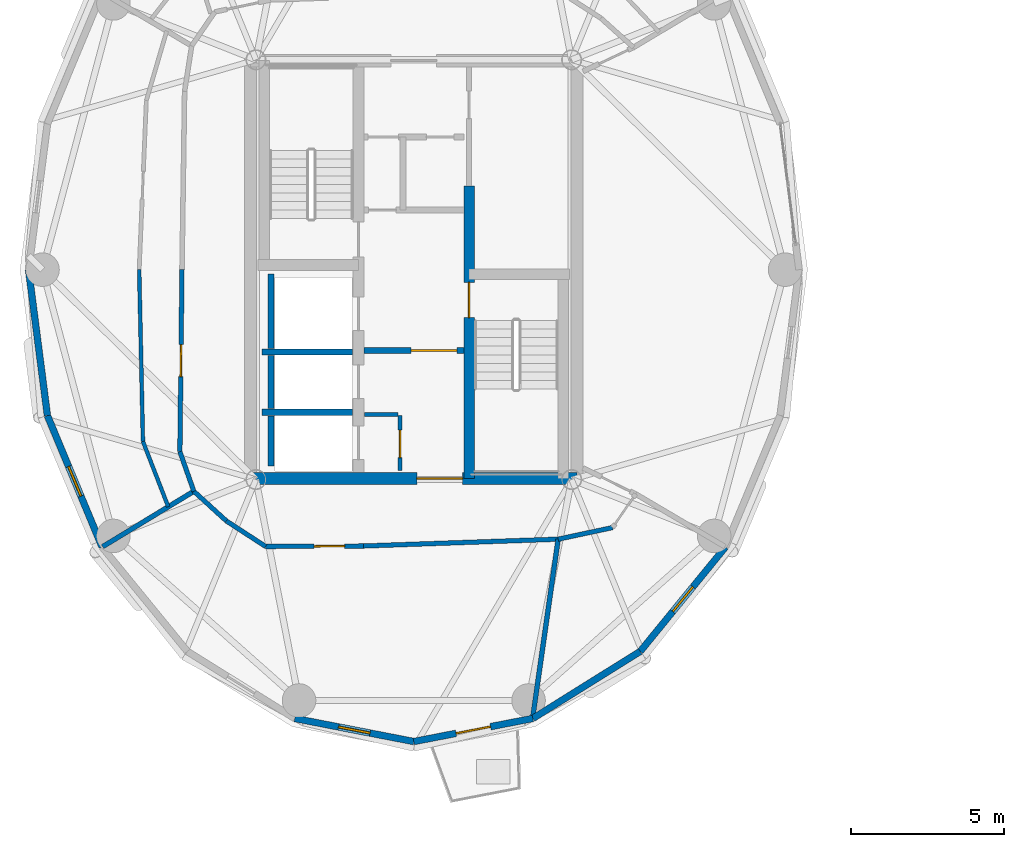
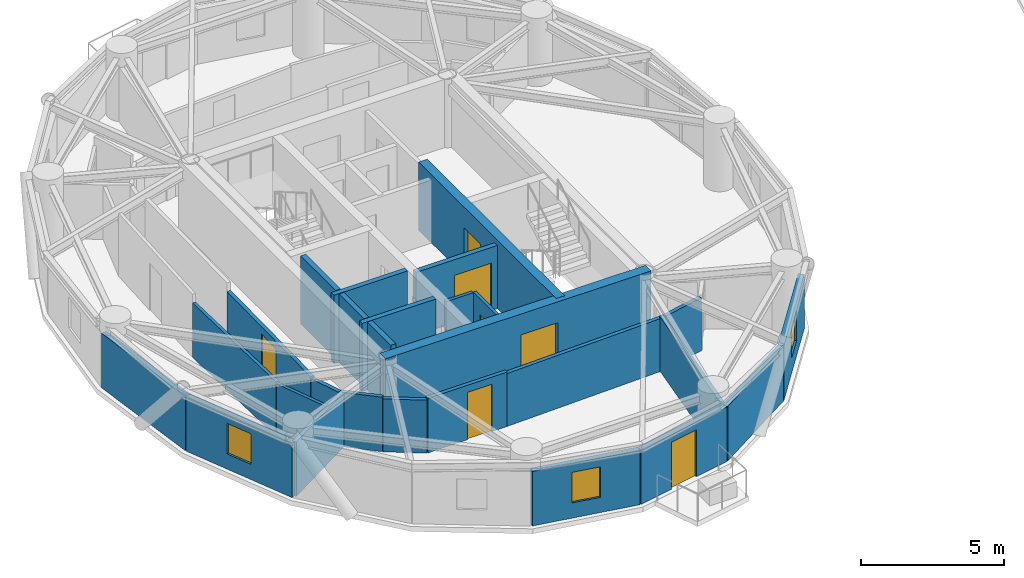
# One storey, part 7 of 16: 27 walls, 7 doors, 3 windows, 10 openings.
"""IFC4 building model written with IfcOpenShell, lengths in metres."""

from ifc_helpers import new_model, si_unit, direction, frame, frame_2d, origin, place, context, subcontext, project, spatial, rectangle, extrude, source, transform, mapped, material, layer, layer_set, type_object, element, fill, save


model = new_model("IFC4")

# Units and contexts
model_context = context("Model", 3, precision=1e-05, world=origin(), true_north=direction((0.0, 1.0)))
body_context = subcontext(model_context, "Body", "Model", "MODEL_VIEW")
ifc_project = project(units=[si_unit("LENGTHUNIT", "METRE"), si_unit("AREAUNIT", "SQUARE_METRE"), si_unit("VOLUMEUNIT", "CUBIC_METRE"), si_unit("PLANEANGLEUNIT", "RADIAN"), si_unit("MASSUNIT", "GRAM", prefix="KILO")], contexts=[model_context])

# Site, building, storey
site_placement = place(None, origin())
site = spatial("IfcSite", under=ifc_project, at=site_placement, CompositionType="ELEMENT")
building_placement = place(site_placement, origin())
building = spatial("IfcBuilding", under=site, at=building_placement, Name="Cununo Teusaquillo Station Towers", CompositionType="ELEMENT")
storey_placement = place(building_placement, frame((0.0, 0.0, 217.030029296875)))
storey = spatial("IfcBuildingStorey", under=building, at=storey_placement, Name="L69", CompositionType="ELEMENT", Elevation=217.030029296875)

# Walls
ifc_material_1 = material(Name="Concrete C50/60", Category="concrete")
ifc_layer_1 = layer(ifc_material_1, 0.199951171875)
ifc_layer_set_1 = layer_set([ifc_layer_1], Name="Concrete C50/60")
wall_type_1 = type_object("IfcWallType", Name="WL-CORE-200", PredefinedType="SHEAR", material=ifc_layer_set_1)
wall_1_placement = place(storey_placement, frame((11.52001953125, 21.800048828125, 0.0), z_axis=(0.0, 0.0, 1.0), x_axis=(1.0, 0.0, 0.0)))
element("IfcWall", 1, at=wall_1_placement, inside=storey, type_object=wall_type_1, Name="L69 Tower A Firefighting Lift Shaft South Shear Wall", PredefinedType="SHEAR", context=body_context, shape_type="SweptSolid", body=[
    extrude(rectangle(XDim=2.969970703125, YDim=0.199951171875, at=frame_2d((1.48486328125, 0.0))), origin(), (0.0, 0.0, 1.0), 2.909912109375),
])
wall_2_placement = place(storey_placement, frame((11.820068359375, 21.919921875, 0.0), z_axis=(0.0, 0.0, 1.0), x_axis=(0.0, 1.0, 0.0)))
element("IfcWall", 2, at=wall_2_placement, inside=storey, type_object=wall_type_1, Name="L69 Tower A Firefighting Lift Shaft Rear Shear Wall", PredefinedType="SHEAR", context=body_context, shape_type="SweptSolid", body=[
    extrude(rectangle(XDim=2.440185546875, YDim=0.199951171875, at=frame_2d((1.22021484375, 0.0))), origin(), (0.0, 0.0, 1.0), 2.909912109375),
])
wall_3_placement = place(storey_placement, frame((11.52001953125, 19.824951171875, 0.0), z_axis=(0.0, 0.0, 1.0), x_axis=(1.0, 0.0, 0.0)))
element("IfcWall", 3, at=wall_3_placement, inside=storey, type_object=wall_type_1, Name="L69 Tower A High-Rise Lift Hoistway Divider Shear Wall", PredefinedType="SHEAR", context=body_context, shape_type="SweptSolid", body=[
    extrude(rectangle(XDim=2.969970703125, YDim=0.199951171875, at=frame_2d((1.48486328125, 0.0))), origin(), (0.0, 0.0, 1.0), 2.909912109375),
])
wall_4_placement = place(storey_placement, frame((11.820068359375, 19.945068359375, 0.0), z_axis=(0.0, 0.0, 1.0), x_axis=(0.0, 1.0, 0.0)))
element("IfcWall", 4, at=wall_4_placement, inside=storey, type_object=wall_type_1, Name="L69 Tower A High-Rise Lift 2 Shaft Rear Shear Wall", PredefinedType="SHEAR", context=body_context, shape_type="SweptSolid", body=[
    extrude(rectangle(XDim=1.73486328125, YDim=0.199951171875, at=frame_2d((0.867431640625, 0.0))), origin(), (0.0, 0.0, 1.0), 2.909912109375),
])
wall_5_placement = place(storey_placement, frame((11.820068359375, 18.070068359375, 0.0), z_axis=(0.0, 0.0, 1.0), x_axis=(0.0, 1.0, 0.0)))
element("IfcWall", 5, at=wall_5_placement, inside=storey, type_object=wall_type_1, Name="L69 Tower A High-Rise Lift 1 Shaft Rear Shear Wall", PredefinedType="SHEAR", context=body_context, shape_type="SweptSolid", body=[
    extrude(rectangle(XDim=1.635009765625, YDim=0.199951171875, at=frame_2d((0.8173828125, 0.0))), origin(), (0.0, 0.0, 1.0), 2.909912109375),
])

# Wall, opening, door
ifc_material_2 = material(Name="Concrete C50/60", Category="concrete")
ifc_layer_2 = layer(ifc_material_2, 0.35009765625)
ifc_layer_set_2 = layer_set([ifc_layer_2], Name="Concrete C50/60")
wall_type_2 = type_object("IfcWallType", Name="WL-CORE-350", PredefinedType="SHEAR", material=ifc_layer_set_2)
wall_6_placement = place(storey_placement, frame((18.31494140625, 17.64990234375, 0.0), z_axis=(0.0, 0.0, 1.0), x_axis=(0.0, 1.0, 0.0)))
wall_6 = element("IfcWall", 6, at=wall_6_placement, inside=storey, type_object=wall_type_2, Name="L69 Tower A Core Shear Wall IE", PredefinedType="SHEAR", context=body_context, shape_type="SweptSolid", body=[
    extrude(rectangle(XDim=9.60009765625, YDim=0.35009765625, at=frame_2d((4.800048828125, 0.0))), origin(), (0.0, 0.0, 1.0), 2.909912109375),
])
shared_shape_1 = source(origin(), body_context, "Body", "SweptSolid", [
    extrude(rectangle(XDim=1.14990234375, YDim=2.02001953125, at=frame_2d((0.574951171875, 1.010009765625))), frame((0.0, 0.18505859375, 0.0), z_axis=(0.0, -1.0, 0.0), x_axis=(1.0, 0.0, 0.0)), (0.0, 0.0, 1.0), 0.3701171875),
])
opening_1_placement = place(wall_6_placement, frame((5.280029296875, 0.0, 0.0)))
opening_1 = element("IfcOpeningElement", 7, at=opening_1_placement, cuts=wall_6, Name="Opening D-ST1", PredefinedType="OPENING", context=body_context, shape_type="MappedRepresentation", body=[
    mapped(shared_shape_1, transform((0.0, 0.0, 0.0), x_axis=(1.0, 0.0, 0.0), y_axis=(0.0, 1.0, 0.0), z_axis=(0.0, 0.0, 1.0), scale=1.0)),
])
ifc_material_3 = material(Name="Galvanised fire-rated hollow steel door assembly", Category="steel")
door_type_1 = type_object("IfcDoorType", Name="DR-STAIR-1150", OperationType="NOTDEFINED", PredefinedType="DOOR", material=ifc_material_3)
shared_shape_2 = source(origin(), body_context, "Body", "SweptSolid", [
    extrude(rectangle(XDim=1.14990234375, YDim=2.02001953125, at=frame_2d((0.574951171875, 1.010009765625))), frame((0.0, 0.02490234375, 0.0), z_axis=(0.0, -1.0, 0.0), x_axis=(1.0, 0.0, 0.0)), (0.0, 0.0, 1.0), 0.050048828125),
])
door_1_placement = place(opening_1_placement, origin())
door_1 = element("IfcDoor", 8, at=door_1_placement, inside=storey, type_object=door_type_1, Name="L69 Tower A Exit Stair 2 Fire Door", OperationType="SINGLE_SWING_LEFT", OverallHeight=2.02001953125, OverallWidth=1.14990234375, PredefinedType="DOOR", context=body_context, shape_type="MappedRepresentation", body=[
    mapped(shared_shape_2, transform((0.0, 0.0, 0.0), x_axis=(1.0, 0.0, 0.0), y_axis=(0.0, 1.0, 0.0), z_axis=(0.0, 0.0, 1.0), scale=1.0)),
])
fill(opening_1, door_1)

ifc_material_4 = material(Name="Concrete C50/60", Category="concrete")
ifc_layer_3 = layer(ifc_material_4, 0.39990234375)
ifc_layer_set_3 = layer_set([ifc_layer_3], Name="Concrete C50/60")
wall_type_3 = type_object("IfcWallType", Name="WL-CORE-400", PredefinedType="SHEAR", material=ifc_layer_set_3)
wall_7_placement = place(storey_placement, frame((11.14990234375, 17.64990234375, 0.0), z_axis=(0.0, 0.0, 1.0), x_axis=(1.0, 0.0, 0.0)))
wall_7 = element("IfcWall", 9, at=wall_7_placement, inside=storey, type_object=wall_type_3, Name="L69 Tower A Core Shear Wall S", PredefinedType="SHEAR", context=body_context, shape_type="SweptSolid", body=[
    extrude(rectangle(XDim=10.7001953125, YDim=0.39990234375, at=frame_2d((5.35009765625, 0.0))), origin(), (0.0, 0.0, 1.0), 2.909912109375),
])
shared_shape_3 = source(origin(), body_context, "Body", "SweptSolid", [
    extrude(rectangle(XDim=1.5, YDim=2.02001953125, at=frame_2d((0.75, 1.010009765625))), frame((0.0, 0.2099609375, 0.0), z_axis=(0.0, -1.0, 0.0), x_axis=(1.0, 0.0, 0.0)), (0.0, 0.0, 1.0), 0.419921875),
])
opening_2_placement = place(wall_7_placement, frame((5.449951171875, 0.0, 0.0)))
opening_2 = element("IfcOpeningElement", 10, at=opening_2_placement, cuts=wall_7, Name="Opening D-LB1", PredefinedType="OPENING", context=body_context, shape_type="MappedRepresentation", body=[
    mapped(shared_shape_3, transform((0.0, 0.0, 0.0), x_axis=(1.0, 0.0, 0.0), y_axis=(0.0, 1.0, 0.0), z_axis=(0.0, 0.0, 1.0), scale=1.0)),
])
ifc_material_5 = material(Name="Galvanised fire-rated hollow steel door assembly", Category="steel")
door_type_2 = type_object("IfcDoorType", Name="DR-LOBBY-1500", OperationType="DOUBLE_DOOR_SINGLE_SWING", PredefinedType="DOOR", material=ifc_material_5)
shared_shape_4 = source(origin(), body_context, "Body", "SweptSolid", [
    extrude(rectangle(XDim=1.5, YDim=2.02001953125, at=frame_2d((0.75, 1.010009765625))), frame((0.0, 0.02490234375, 0.0), z_axis=(0.0, -1.0, 0.0), x_axis=(1.0, 0.0, 0.0)), (0.0, 0.0, 1.0), 0.050048828125),
])
door_2_placement = place(opening_2_placement, origin())
door_2 = element("IfcDoor", 11, at=door_2_placement, inside=storey, type_object=door_type_2, Name="L69 Tower A South Core Lift Lobby Door", OperationType="DOUBLE_DOOR_SINGLE_SWING", OverallHeight=2.02001953125, OverallWidth=1.5, PredefinedType="DOOR", context=body_context, shape_type="MappedRepresentation", body=[
    mapped(shared_shape_4, transform((0.0, 0.0, 0.0), x_axis=(1.0, 0.0, 0.0), y_axis=(0.0, 1.0, 0.0), z_axis=(0.0, 0.0, 1.0), scale=1.0)),
])
fill(opening_2, door_2)

# Wall
ifc_material_6 = material(Name="Precast concrete C40/50", Category="concrete")
ifc_layer_4 = layer(ifc_material_6, 0.219970703125)
ifc_layer_set_4 = layer_set([ifc_layer_4], Name="Precast concrete C40/50")
wall_type_4 = type_object("IfcWallType", Name="WL-EXT-220", PredefinedType="SOLIDWALL", material=ifc_layer_set_4)
wall_8_placement = place(storey_placement, frame((4.48828125, 19.719482421875, 0.0), z_axis=(0.0, 0.0, 1.0), x_axis=(-0.128241318541, 0.991742993027, 0.0)))
element("IfcWall", 12, at=wall_8_placement, inside=storey, type_object=wall_type_4, Name="L69 Tower A Exterior Facade Wall C10", PredefinedType="SOLIDWALL", context=body_context, shape_type="SweptSolid", body=[
    extrude(rectangle(XDim=4.8203125, YDim=0.219970703125, at=frame_2d((2.41015625, 0.0))), origin(), (0.0, 0.0, 1.0), 2.322021484375),
])

# Wall, opening, window
wall_9_placement = place(storey_placement, frame((6.281982421875, 15.406982421875, 0.0), z_axis=(0.0, 0.0, 1.0), x_axis=(-0.384036305194, 0.923317993052, 0.0)))
wall_9 = element("IfcWall", 13, at=wall_9_placement, inside=storey, type_object=wall_type_4, Name="L69 Tower A Exterior Facade Wall C11", PredefinedType="SOLIDWALL", context=body_context, shape_type="SweptSolid", body=[
    extrude(rectangle(XDim=4.670654296875, YDim=0.219970703125, at=frame_2d((2.33544921875, 0.0))), origin(), (0.0, 0.0, 1.0), 2.322021484375),
])
shared_shape_5 = source(origin(), body_context, "Body", "SweptSolid", [
    extrude(rectangle(XDim=1.050048828125, YDim=1.300048828125, at=frame_2d((0.52490234375, 0.64990234375))), frame((0.0, 0.119873046875, 0.0), z_axis=(0.0, -1.0, 0.0), x_axis=(1.0, 0.0, 0.0)), (0.0, 0.0, 1.0), 0.239990234375),
])
opening_3_placement = place(wall_9_placement, frame((1.81005859375, 0.0, 0.64990234375)))
opening_3 = element("IfcOpeningElement", 14, at=opening_3_placement, cuts=wall_9, Name="Opening WN-04", PredefinedType="OPENING", context=body_context, shape_type="MappedRepresentation", body=[
    mapped(shared_shape_5, transform((0.0, 0.0, 0.0), x_axis=(1.0, 0.0, 0.0), y_axis=(0.0, 1.0, 0.0), z_axis=(0.0, 0.0, 1.0), scale=1.0)),
])
ifc_material_7 = material(Name="Operable acoustic tinted low-E double glazing", Category="glass")
window_type = type_object("IfcWindowType", Name="WIN-BAL-1050", PartitioningType="SINGLE_PANEL", PredefinedType="WINDOW", material=ifc_material_7)
shared_shape_6 = source(origin(), body_context, "Body", "SweptSolid", [
    extrude(rectangle(XDim=1.050048828125, YDim=1.300048828125, at=frame_2d((0.52490234375, 0.64990234375))), frame((0.0, 0.030029296875, 0.0), z_axis=(0.0, -1.0, 0.0), x_axis=(1.0, 0.0, 0.0)), (0.0, 0.0, 1.0), 0.06005859375),
])
window_1_placement = place(opening_3_placement, origin())
window_1 = element("IfcWindow", 15, at=window_1_placement, inside=storey, type_object=window_type, Name="L69 Tower A Facade Window C11", OverallHeight=1.300048828125, OverallWidth=1.050048828125, PartitioningType="SINGLE_PANEL", PredefinedType="WINDOW", context=body_context, shape_type="MappedRepresentation", body=[
    mapped(shared_shape_6, transform((0.0, 0.0, 0.0), x_axis=(1.0, 0.0, 0.0), y_axis=(0.0, 1.0, 0.0), z_axis=(0.0, 0.0, 1.0), scale=1.0)),
])
fill(opening_3, window_1)

wall_10_placement = place(storey_placement, frame((16.5, 9.030029296875, 0.0), z_axis=(0.0, 0.0, 1.0), x_axis=(-0.981700307484, 0.190432419211, 0.0)))
wall_10 = element("IfcWall", 16, at=wall_10_placement, inside=storey, type_object=wall_type_4, Name="L69 Tower A Exterior Facade Wall C14", PredefinedType="SOLIDWALL", context=body_context, shape_type="SweptSolid", body=[
    extrude(rectangle(XDim=3.9755859375, YDim=0.219970703125, at=frame_2d((1.98779296875, 0.0))), origin(), (0.0, 0.0, 1.0), 2.322021484375),
])
opening_4_placement = place(wall_10_placement, frame((1.462890625, 0.0, 0.64990234375)))
opening_4 = element("IfcOpeningElement", 17, at=opening_4_placement, cuts=wall_10, Name="Opening WN-04", PredefinedType="OPENING", context=body_context, shape_type="MappedRepresentation", body=[
    mapped(shared_shape_5, transform((0.0, 0.0, 0.0), x_axis=(1.0, 0.0, 0.0), y_axis=(0.0, 1.0, 0.0), z_axis=(0.0, 0.0, 1.0), scale=1.0)),
])
window_2_placement = place(opening_4_placement, origin())
window_2 = element("IfcWindow", 18, at=window_2_placement, inside=storey, type_object=window_type, Name="L69 Tower A Facade Window C14", OverallHeight=1.300048828125, OverallWidth=1.050048828125, PartitioningType="SINGLE_PANEL", PredefinedType="WINDOW", context=body_context, shape_type="MappedRepresentation", body=[
    mapped(shared_shape_6, transform((0.0, 0.0, 0.0), x_axis=(1.0, 0.0, 0.0), y_axis=(0.0, 1.0, 0.0), z_axis=(0.0, 0.0, 1.0), scale=1.0)),
])
fill(opening_4, window_2)

# Wall, opening, door
wall_11_placement = place(storey_placement, frame((20.40283203125, 9.787109375, 0.0), z_axis=(0.0, 0.0, 1.0), x_axis=(-0.981700307484, -0.190432419211, 0.0)))
wall_11 = element("IfcWall", 19, at=wall_11_placement, inside=storey, type_object=wall_type_4, Name="L69 Tower A Exterior Facade Wall C15", PredefinedType="SOLIDWALL", context=body_context, shape_type="SweptSolid", body=[
    extrude(rectangle(XDim=3.9755859375, YDim=0.219970703125, at=frame_2d((1.98779296875, 0.0))), origin(), (0.0, 0.0, 1.0), 2.322021484375),
])
shared_shape_7 = source(origin(), body_context, "Body", "SweptSolid", [
    extrude(rectangle(XDim=1.14990234375, YDim=2.0048828125, at=frame_2d((0.574951171875, 1.00244140625))), frame((0.0, 0.119873046875, 0.0), z_axis=(0.0, -1.0, 0.0), x_axis=(1.0, 0.0, 0.0)), (0.0, 0.0, 1.0), 0.239990234375),
])
opening_5_placement = place(wall_11_placement, frame((1.4130859375, 0.0, 0.0)))
opening_5 = element("IfcOpeningElement", 20, at=opening_5_placement, cuts=wall_11, Name="Opening ED-03", PredefinedType="OPENING", context=body_context, shape_type="MappedRepresentation", body=[
    mapped(shared_shape_7, transform((0.0, 0.0, 0.0), x_axis=(1.0, 0.0, 0.0), y_axis=(0.0, 1.0, 0.0), z_axis=(0.0, 0.0, 1.0), scale=1.0)),
])
ifc_material_8 = material(Name="Anodised dark bronze aluminium EN AW-6063-T6", Category="aluminium")
door_type_3 = type_object("IfcDoorType", Name="DR-EXT-BAL", OperationType="NOTDEFINED", PredefinedType="DOOR", material=ifc_material_8)
shared_shape_8 = source(origin(), body_context, "Body", "SweptSolid", [
    extrude(rectangle(XDim=1.14990234375, YDim=2.0048828125, at=frame_2d((0.574951171875, 1.00244140625))), frame((0.0, 0.02490234375, 0.0), z_axis=(0.0, -1.0, 0.0), x_axis=(1.0, 0.0, 0.0)), (0.0, 0.0, 1.0), 0.050048828125),
])
door_3_placement = place(opening_5_placement, origin())
door_3 = element("IfcDoor", 21, at=door_3_placement, inside=storey, type_object=door_type_3, Name="L69 Tower A Tree Balcony Door C15", OperationType="SINGLE_SWING_LEFT", OverallHeight=2.0048828125, OverallWidth=1.14990234375, PredefinedType="DOOR", context=body_context, shape_type="MappedRepresentation", body=[
    mapped(shared_shape_8, transform((0.0, 0.0, 0.0), x_axis=(1.0, 0.0, 0.0), y_axis=(0.0, 1.0, 0.0), z_axis=(0.0, 0.0, 1.0), scale=1.0)),
])
fill(opening_5, door_3)

# Wall
wall_12_placement = place(storey_placement, frame((23.923583984375, 11.984619140625, 0.0), z_axis=(0.0, 0.0, 1.0), x_axis=(-0.848318713376, -0.529485939886, 0.0)))
element("IfcWall", 22, at=wall_12_placement, inside=storey, type_object=wall_type_4, Name="L69 Tower A Exterior Facade Wall C16", PredefinedType="SOLIDWALL", context=body_context, shape_type="SweptSolid", body=[
    extrude(rectangle(XDim=4.150390625, YDim=0.219970703125, at=frame_2d((2.0751953125, 0.0))), origin(), (0.0, 0.0, 1.0), 2.322021484375),
])

# Wall, opening, window
wall_13_placement = place(storey_placement, frame((26.718017578125, 15.406982421875, 0.0), z_axis=(0.0, 0.0, 1.0), x_axis=(-0.632467166636, -0.774587169483, 0.0)))
wall_13 = element("IfcWall", 23, at=wall_13_placement, inside=storey, type_object=wall_type_4, Name="L69 Tower A Exterior Facade Wall C17", PredefinedType="SOLIDWALL", context=body_context, shape_type="SweptSolid", body=[
    extrude(rectangle(XDim=4.418212890625, YDim=0.219970703125, at=frame_2d((2.208984375, 0.0))), origin(), (0.0, 0.0, 1.0), 2.322021484375),
])
opening_6_placement = place(wall_13_placement, frame((1.68408203125, 0.0, 0.64990234375)))
opening_6 = element("IfcOpeningElement", 24, at=opening_6_placement, cuts=wall_13, Name="Opening WN-04", PredefinedType="OPENING", context=body_context, shape_type="MappedRepresentation", body=[
    mapped(shared_shape_5, transform((0.0, 0.0, 0.0), x_axis=(1.0, 0.0, 0.0), y_axis=(0.0, 1.0, 0.0), z_axis=(0.0, 0.0, 1.0), scale=1.0)),
])
window_3_placement = place(opening_6_placement, origin())
window_3 = element("IfcWindow", 25, at=window_3_placement, inside=storey, type_object=window_type, Name="L69 Tower A Facade Window C17", OverallHeight=1.300048828125, OverallWidth=1.050048828125, PartitioningType="SINGLE_PANEL", PredefinedType="WINDOW", context=body_context, shape_type="MappedRepresentation", body=[
    mapped(shared_shape_6, transform((0.0, 0.0, 0.0), x_axis=(1.0, 0.0, 0.0), y_axis=(0.0, 1.0, 0.0), z_axis=(0.0, 0.0, 1.0), scale=1.0)),
])
fill(opening_6, window_3)

# Wall, opening, door
ifc_material_9 = material(Name="Fire-rated gypsum plasterboard partition assembly", Category="gypsum")
ifc_layer_5 = layer(ifc_material_9, 0.125)
ifc_layer_set_5 = layer_set([ifc_layer_5], Name="Fire-rated gypsum plasterboard partition assembly")
wall_type_5 = type_object("IfcWallType", Name="WL-PART-125", PredefinedType="PARTITIONING", material=ifc_layer_set_5)
wall_14_placement = place(storey_placement, frame((16.050048828125, 17.919921875, 0.0), z_axis=(0.0, 0.0, 1.0), x_axis=(0.0, 1.0, 0.0)))
wall_14 = element("IfcWall", 26, at=wall_14_placement, inside=storey, type_object=wall_type_5, Name="L69 Tower A South-West Compact Store East Wall", PredefinedType="PARTITIONING", context=body_context, shape_type="SweptSolid", body=[
    extrude(rectangle(XDim=1.800048828125, YDim=0.125, at=frame_2d((0.89990234375, 0.0))), origin(), (0.0, 0.0, 1.0), 2.68505859375),
])
shared_shape_9 = source(origin(), body_context, "Body", "SweptSolid", [
    extrude(rectangle(XDim=0.89990234375, YDim=2.0048828125, at=frame_2d((0.449951171875, 1.00244140625))), frame((0.0, 0.072509765625, 0.0), z_axis=(0.0, -1.0, 0.0), x_axis=(1.0, 0.0, 0.0)), (0.0, 0.0, 1.0), 0.14501953125),
])
opening_7_placement = place(wall_14_placement, frame((0.419921875, 0.0, 0.0)))
opening_7 = element("IfcOpeningElement", 27, at=opening_7_placement, cuts=wall_14, Name="Opening D-SR1", PredefinedType="OPENING", context=body_context, shape_type="MappedRepresentation", body=[
    mapped(shared_shape_9, transform((0.0, 0.0, 0.0), x_axis=(1.0, 0.0, 0.0), y_axis=(0.0, 1.0, 0.0), z_axis=(0.0, 0.0, 1.0), scale=1.0)),
])
ifc_material_10 = material(Name="Galvanised fire-rated hollow steel door assembly", Category="steel")
door_type_4 = type_object("IfcDoorType", Name="DR-STORE-900", OperationType="NOTDEFINED", PredefinedType="DOOR", material=ifc_material_10)
shared_shape_10 = source(origin(), body_context, "Body", "SweptSolid", [
    extrude(rectangle(XDim=0.89990234375, YDim=2.0048828125, at=frame_2d((0.449951171875, 1.00244140625))), frame((0.0, 0.02490234375, 0.0), z_axis=(0.0, -1.0, 0.0), x_axis=(1.0, 0.0, 0.0)), (0.0, 0.0, 1.0), 0.050048828125),
])
door_4_placement = place(opening_7_placement, origin())
door_4 = element("IfcDoor", 28, at=door_4_placement, inside=storey, type_object=door_type_4, Name="L69 Tower A Core Electrical & Comms Store Door", OperationType="SINGLE_SWING_RIGHT", OverallHeight=2.0048828125, OverallWidth=0.89990234375, PredefinedType="DOOR", context=body_context, shape_type="MappedRepresentation", body=[
    mapped(shared_shape_10, transform((0.0, 0.0, 0.0), x_axis=(1.0, 0.0, 0.0), y_axis=(0.0, 1.0, 0.0), z_axis=(0.0, 0.0, 1.0), scale=1.0)),
])
fill(opening_7, door_4)

# Walls
wall_15_placement = place(storey_placement, frame((14.8798828125, 19.75, 0.0), z_axis=(0.0, 0.0, 1.0), x_axis=(1.0, 0.0, 0.0)))
element("IfcWall", 29, at=wall_15_placement, inside=storey, type_object=wall_type_5, Name="L69 Tower A South-West Compact Store North Wall", PredefinedType="PARTITIONING", context=body_context, shape_type="SweptSolid", body=[
    extrude(rectangle(XDim=1.10009765625, YDim=0.125, at=frame_2d((0.550048828125, 0.0))), origin(), (0.0, 0.0, 1.0), 2.68505859375),
])
wall_16_placement = place(storey_placement, frame((7.497314453125, 24.5, 0.0), z_axis=(0.0, 0.0, 1.0), x_axis=(0.021927972859, -0.999759553096, 0.0)))
element("IfcWall", 30, at=wall_16_placement, inside=storey, type_object=wall_type_5, Name="L69 Tower A Cordillera Pinnacle Club Concentric Partition Wall C10", PredefinedType="PARTITIONING", context=body_context, shape_type="SweptSolid", body=[
    extrude(rectangle(XDim=5.6337890625, YDim=0.125, at=frame_2d((2.81689453125, 0.0))), origin(), (0.0, 0.0, 1.0), 2.322021484375),
])
wall_17_placement = place(storey_placement, frame((7.620849609375, 18.86767578125, 0.0), z_axis=(0.0, 0.0, 1.0), x_axis=(0.361712646649, -0.93228963378, 0.0)))
element("IfcWall", 31, at=wall_17_placement, inside=storey, type_object=wall_type_5, Name="L69 Tower A Cordillera Pinnacle Club Concentric Partition Wall C11", PredefinedType="PARTITIONING", context=body_context, shape_type="SweptSolid", body=[
    extrude(rectangle(XDim=2.296875, YDim=0.125, at=frame_2d((1.1484375, 0.0))), origin(), (0.0, 0.0, 1.0), 2.2548828125),
])

# Wall, opening, door
ifc_material_11 = material(Name="Fire-rated gypsum plasterboard partition assembly", Category="gypsum")
ifc_layer_6 = layer(ifc_material_11, 0.14990234375)
ifc_layer_set_6 = layer_set([ifc_layer_6], Name="Fire-rated gypsum plasterboard partition assembly")
wall_type_6 = type_object("IfcWallType", Name="WL-PART-150", PredefinedType="PARTITIONING", material=ifc_layer_set_6)
wall_18_placement = place(storey_placement, frame((8.89990234375, 24.5, 0.0), z_axis=(0.0, 0.0, 1.0), x_axis=(-0.011416369353, -0.999934831132, 0.0)))
wall_18 = element("IfcWall", 32, at=wall_18_placement, inside=storey, type_object=wall_type_6, Name="L69 Tower A Corridor Ring Wall C10", PredefinedType="PARTITIONING", context=body_context, shape_type="SweptSolid", body=[
    extrude(rectangle(XDim=5.966552734375, YDim=0.14990234375, at=frame_2d((2.9833984375, 0.0))), origin(), (0.0, 0.0, 1.0), 2.322021484375),
])
shared_shape_11 = source(origin(), body_context, "Body", "SweptSolid", [
    extrude(rectangle(XDim=1.050048828125, YDim=2.014892578125, at=frame_2d((0.52490234375, 1.00732421875))), frame((0.0, 0.0849609375, 0.0), z_axis=(0.0, -1.0, 0.0), x_axis=(1.0, 0.0, 0.0)), (0.0, 0.0, 1.0), 0.169921875),
])
opening_8_placement = place(wall_18_placement, frame((2.458251953125, 0.0, 0.0)))
opening_8 = element("IfcOpeningElement", 33, at=opening_8_placement, cuts=wall_18, Name="Opening D-SU1", PredefinedType="OPENING", context=body_context, shape_type="MappedRepresentation", body=[
    mapped(shared_shape_11, transform((0.0, 0.0, 0.0), x_axis=(1.0, 0.0, 0.0), y_axis=(0.0, 1.0, 0.0), z_axis=(0.0, 0.0, 1.0), scale=1.0)),
])
ifc_material_12 = material(Name="Acoustic solid-core hardwood leaf assembly", Category="wood")
door_type_5 = type_object("IfcDoorType", Name="DR-SUITE-1050", OperationType="NOTDEFINED", PredefinedType="DOOR", material=ifc_material_12)
shared_shape_12 = source(origin(), body_context, "Body", "SweptSolid", [
    extrude(rectangle(XDim=1.050048828125, YDim=2.014892578125, at=frame_2d((0.52490234375, 1.00732421875))), frame((0.0, 0.02490234375, 0.0), z_axis=(0.0, -1.0, 0.0), x_axis=(1.0, 0.0, 0.0)), (0.0, 0.0, 1.0), 0.050048828125),
])
door_5_placement = place(opening_8_placement, origin())
door_5 = element("IfcDoor", 34, at=door_5_placement, inside=storey, type_object=door_type_5, Name="L69 Tower A Cordillera Pinnacle Club Entrance Door", OperationType="SINGLE_SWING_LEFT", OverallHeight=2.014892578125, OverallWidth=1.050048828125, PredefinedType="DOOR", context=body_context, shape_type="MappedRepresentation", body=[
    mapped(shared_shape_12, transform((0.0, 0.0, 0.0), x_axis=(1.0, 0.0, 0.0), y_axis=(0.0, 1.0, 0.0), z_axis=(0.0, 0.0, 1.0), scale=1.0)),
])
fill(opening_8, door_5)

# Walls
wall_19_placement = place(storey_placement, frame((8.831787109375, 18.533935546875, 0.0), z_axis=(0.0, 0.0, 1.0), x_axis=(0.332031819657, -0.943268186008, 0.0)))
element("IfcWall", 35, at=wall_19_placement, inside=storey, type_object=wall_type_6, Name="L69 Tower A Corridor Ring Wall C11", PredefinedType="PARTITIONING", context=body_context, shape_type="SweptSolid", body=[
    extrude(rectangle(XDim=1.377197265625, YDim=0.14990234375, at=frame_2d((0.6884765625, 0.0))), origin(), (0.0, 0.0, 1.0), 2.2548828125),
])
wall_20_placement = place(storey_placement, frame((9.2890625, 17.23486328125, 0.0), z_axis=(0.0, 0.0, 1.0), x_axis=(0.739015164946, -0.673688790155, 0.0)))
element("IfcWall", 36, at=wall_20_placement, inside=storey, type_object=wall_type_6, Name="L69 Tower A Corridor Ring Wall C12", PredefinedType="PARTITIONING", context=body_context, shape_type="SweptSolid", body=[
    extrude(rectangle(XDim=1.4462890625, YDim=0.14990234375, at=frame_2d((0.72314453125, 0.0))), origin(), (0.0, 0.0, 1.0), 2.322021484375),
])
wall_21_placement = place(storey_placement, frame((10.35791015625, 16.260498046875, 0.0), z_axis=(0.0, 0.0, 1.0), x_axis=(0.838265397059, -0.545262435983, 0.0)))
element("IfcWall", 37, at=wall_21_placement, inside=storey, type_object=wall_type_6, Name="L69 Tower A Corridor Ring Wall C13", PredefinedType="PARTITIONING", context=body_context, shape_type="SweptSolid", body=[
    extrude(rectangle(XDim=1.533935546875, YDim=0.14990234375, at=frame_2d((0.76708984375, 0.0))), origin(), (0.0, 0.0, 1.0), 2.2548828125),
])

# Wall, opening, door
wall_22_placement = place(storey_placement, frame((11.643798828125, 15.424072265625, 0.0), z_axis=(0.0, 0.0, 1.0), x_axis=(0.999986552511, 0.005186019339, 0.0)))
wall_22 = element("IfcWall", 38, at=wall_22_placement, inside=storey, type_object=wall_type_6, Name="L69 Tower A Corridor Ring Wall C14", PredefinedType="PARTITIONING", context=body_context, shape_type="SweptSolid", body=[
    extrude(rectangle(XDim=3.201171875, YDim=0.14990234375, at=frame_2d((1.6005859375, 0.0))), origin(), (0.0, 0.0, 1.0), 2.322021484375),
])
shared_shape_13 = source(origin(), body_context, "Body", "SweptSolid", [
    extrude(rectangle(XDim=1.0, YDim=2.014892578125, at=frame_2d((0.5, 1.00732421875))), frame((0.0, 0.0849609375, 0.0), z_axis=(0.0, -1.0, 0.0), x_axis=(1.0, 0.0, 0.0)), (0.0, 0.0, 1.0), 0.169921875),
])
opening_9_placement = place(wall_22_placement, frame((1.591064453125, 0.0, 0.0)))
opening_9 = element("IfcOpeningElement", 39, at=opening_9_placement, cuts=wall_22, Name="Opening D-AC1", PredefinedType="OPENING", context=body_context, shape_type="MappedRepresentation", body=[
    mapped(shared_shape_13, transform((0.0, 0.0, 0.0), x_axis=(1.0, 0.0, 0.0), y_axis=(0.0, 1.0, 0.0), z_axis=(0.0, 0.0, 1.0), scale=1.0)),
])
ifc_material_13 = material(Name="Acoustic solid-core hardwood leaf assembly", Category="wood")
door_type_6 = type_object("IfcDoorType", Name="DR-ACC-1000", OperationType="NOTDEFINED", PredefinedType="DOOR", material=ifc_material_13)
shared_shape_14 = source(origin(), body_context, "Body", "SweptSolid", [
    extrude(rectangle(XDim=1.0, YDim=2.014892578125, at=frame_2d((0.5, 1.00732421875))), frame((0.0, 0.02490234375, 0.0), z_axis=(0.0, -1.0, 0.0), x_axis=(1.0, 0.0, 0.0)), (0.0, 0.0, 1.0), 0.050048828125),
])
door_6_placement = place(opening_9_placement, origin())
door_6 = element("IfcDoor", 40, at=door_6_placement, inside=storey, type_object=door_type_6, Name="L69 Tower A Public Accessible Restroom WC Entrance Door", OperationType="SINGLE_SWING_LEFT", OverallHeight=2.014892578125, OverallWidth=1.0, PredefinedType="DOOR", context=body_context, shape_type="MappedRepresentation", body=[
    mapped(shared_shape_14, transform((0.0, 0.0, 0.0), x_axis=(1.0, 0.0, 0.0), y_axis=(0.0, 1.0, 0.0), z_axis=(0.0, 0.0, 1.0), scale=1.0)),
])
fill(opening_9, door_6)

# Walls
wall_23_placement = place(storey_placement, frame((14.844970703125, 15.440673828125, 0.0), z_axis=(0.0, 0.0, 1.0), x_axis=(0.99938794868, 0.034981824334, 0.0)))
element("IfcWall", 41, at=wall_23_placement, inside=storey, type_object=wall_type_6, Name="L69 Tower A Corridor Ring Wall C15", PredefinedType="PARTITIONING", context=body_context, shape_type="SweptSolid", body=[
    extrude(rectangle(XDim=6.392822265625, YDim=0.14990234375, at=frame_2d((3.1962890625, 0.0))), origin(), (0.0, 0.0, 1.0), 2.2548828125),
])
wall_24_placement = place(storey_placement, frame((21.23388671875, 15.664306640625, 0.0), z_axis=(0.0, 0.0, 1.0), x_axis=(0.977931581182, 0.208925399431, 0.0)))
element("IfcWall", 42, at=wall_24_placement, inside=storey, type_object=wall_type_6, Name="L69 Tower A Corridor Ring Wall C16", PredefinedType="PARTITIONING", context=body_context, shape_type="SweptSolid", body=[
    extrude(rectangle(XDim=1.822998046875, YDim=0.14990234375, at=frame_2d((0.91162109375, 0.0))), origin(), (0.0, 0.0, 1.0), 2.2548828125),
])
ifc_material_14 = material(Name="Fire-rated gypsum plasterboard partition assembly", Category="gypsum")
ifc_layer_7 = layer(ifc_material_14, 0.159912109375)
ifc_layer_set_7 = layer_set([ifc_layer_7], Name="Fire-rated gypsum plasterboard partition assembly")
wall_type_7 = type_object("IfcWallType", Name="WL-PART-160", PredefinedType="PARTITIONING", material=ifc_layer_set_7)
wall_25_placement = place(storey_placement, frame((9.2890625, 17.23486328125, 0.0), z_axis=(0.0, 0.0, 1.0), x_axis=(-0.854741081983, -0.519054604806, 0.0)))
element("IfcWall", 43, at=wall_25_placement, inside=storey, type_object=wall_type_7, Name="L69 Tower A Radial Suite Partition R04", PredefinedType="PARTITIONING", context=body_context, shape_type="SweptSolid", body=[
    extrude(rectangle(XDim=3.4990234375, YDim=0.159912109375, at=frame_2d((1.74951171875, 0.0))), origin(), (0.0, 0.0, 1.0), 2.322021484375),
])
wall_26_placement = place(storey_placement, frame((21.23388671875, 15.664306640625, 0.0), z_axis=(0.0, 0.0, 1.0), x_axis=(-0.141467563045, -0.989942891588, 0.0)))
element("IfcWall", 44, at=wall_26_placement, inside=storey, type_object=wall_type_7, Name="L69 Tower A Radial Suite Partition R05", PredefinedType="PARTITIONING", context=body_context, shape_type="SweptSolid", body=[
    extrude(rectangle(XDim=5.917724609375, YDim=0.159912109375, at=frame_2d((2.958984375, 0.0))), origin(), (0.0, 0.0, 1.0), 2.322021484375),
])

# Wall, opening, door
ifc_material_15 = material(Name="Fire-rated gypsum plasterboard partition assembly", Category="gypsum")
ifc_layer_8 = layer(ifc_material_15, 0.199951171875)
ifc_layer_set_8 = layer_set([ifc_layer_8], Name="Fire-rated gypsum plasterboard partition assembly")
wall_type_8 = type_object("IfcWallType", Name="WL-PART-200", PredefinedType="PARTITIONING", material=ifc_layer_set_8)
wall_27_placement = place(storey_placement, frame((14.860107421875, 21.85009765625, 0.0), z_axis=(0.0, 0.0, 1.0), x_axis=(1.0, 0.0, 0.0)))
wall_27 = element("IfcWall", 45, at=wall_27_placement, inside=storey, type_object=wall_type_8, Name="L69 Tower A Firefighting Lift Lobby South Fire Wall", PredefinedType="PARTITIONING", context=body_context, shape_type="SweptSolid", body=[
    extrude(rectangle(XDim=3.27978515625, YDim=0.199951171875, at=frame_2d((1.639892578125, 0.0))), origin(), (0.0, 0.0, 1.0), 2.68505859375),
])
shared_shape_15 = source(origin(), body_context, "Body", "SweptSolid", [
    extrude(rectangle(XDim=1.5, YDim=2.02001953125, at=frame_2d((0.75, 1.010009765625))), frame((0.0, 0.10986328125, 0.0), z_axis=(0.0, -1.0, 0.0), x_axis=(1.0, 0.0, 0.0)), (0.0, 0.0, 1.0), 0.219970703125),
])
opening_10_placement = place(wall_27_placement, frame((1.550048828125, 0.0, 0.0)))
opening_10 = element("IfcOpeningElement", 46, at=opening_10_placement, cuts=wall_27, Name="Opening D-LB1", PredefinedType="OPENING", context=body_context, shape_type="MappedRepresentation", body=[
    mapped(shared_shape_15, transform((0.0, 0.0, 0.0), x_axis=(1.0, 0.0, 0.0), y_axis=(0.0, 1.0, 0.0), z_axis=(0.0, 0.0, 1.0), scale=1.0)),
])
door_7_placement = place(opening_10_placement, origin())
door_7 = element("IfcDoor", 47, at=door_7_placement, inside=storey, type_object=door_type_2, Name="L69 Tower A Firefighting Lift Lobby South Fire Door", OperationType="DOUBLE_DOOR_SINGLE_SWING", OverallHeight=2.02001953125, OverallWidth=1.5, PredefinedType="DOOR", context=body_context, shape_type="MappedRepresentation", body=[
    mapped(shared_shape_4, transform((0.0, 0.0, 0.0), x_axis=(1.0, 0.0, 0.0), y_axis=(0.0, 1.0, 0.0), z_axis=(0.0, 0.0, 1.0), scale=1.0)),
])
fill(opening_10, door_7)

save(model, "model.ifc")
